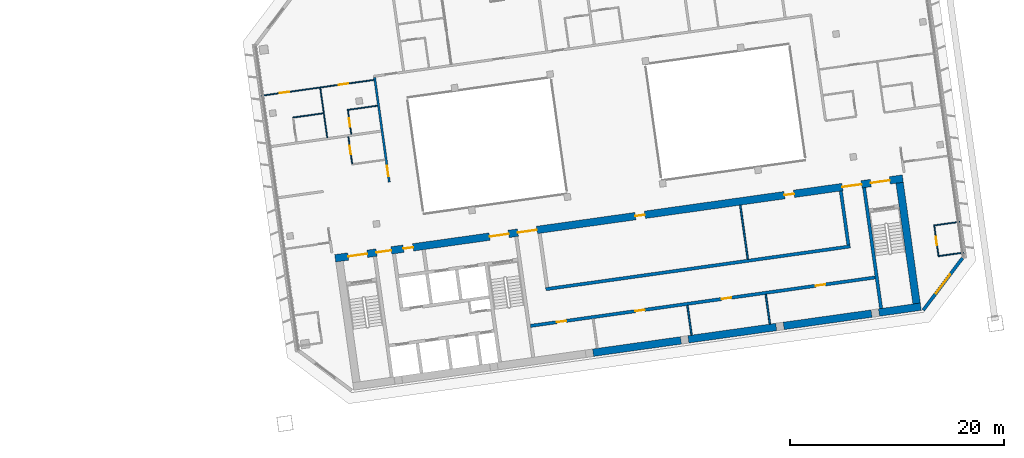
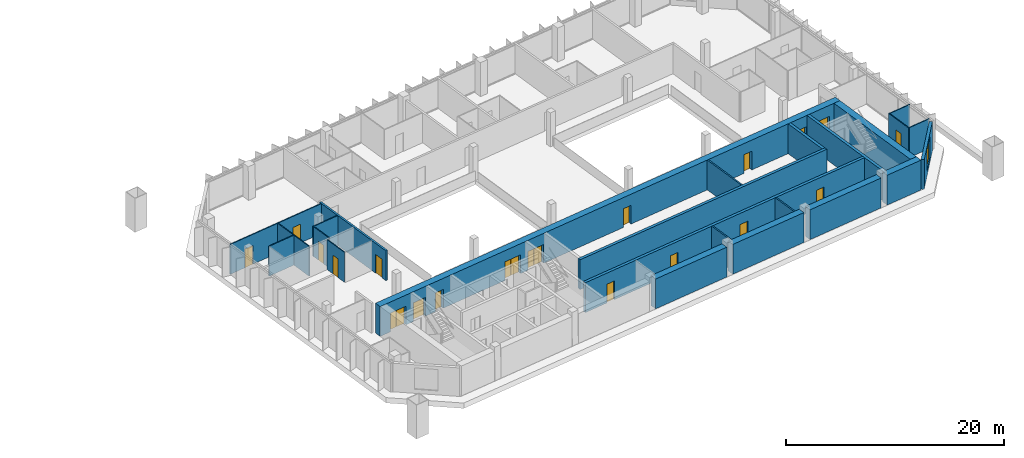
# One storey, part 22 of 31: 24 walls, 19 doors, 1 window, 20 openings.
"""IFC4 building model written with IfcOpenShell, lengths in metres."""

from ifc_helpers import new_model, si_unit, direction, frame, frame_2d, origin, place, context, subcontext, project, spatial, rectangle, extrude, material, layer, layer_set, type_object, element, fill, save


model = new_model("IFC4")

# Units and contexts
model_context = context("Model", 3, precision=1e-05, world=origin(), true_north=direction((0.0, 1.0)))
body_context = subcontext(model_context, "Body", "Model", "MODEL_VIEW")
ifc_project = project(units=[si_unit("LENGTHUNIT", "METRE"), si_unit("AREAUNIT", "SQUARE_METRE"), si_unit("VOLUMEUNIT", "CUBIC_METRE"), si_unit("PLANEANGLEUNIT", "RADIAN"), si_unit("MASSUNIT", "GRAM", prefix="KILO")], contexts=[model_context])

# Site, building, storey
site_placement = place(None, origin())
site = spatial("IfcSite", under=ifc_project, at=site_placement, CompositionType="ELEMENT")
building_placement = place(site_placement, origin())
building = spatial("IfcBuilding", under=site, at=building_placement, Name="Mirante Cascada Hotel Towers", CompositionType="ELEMENT")
storey_placement = place(building_placement, frame((0.0, 0.0, 157.4)))
storey = spatial("IfcBuildingStorey", under=building, at=storey_placement, Name="L36", CompositionType="ELEMENT", Elevation=157.4)

# Wall, opening, door
ifc_material_1 = material(Name="Fire-rated plasterboard on metal studs")
ifc_layer_1 = layer(ifc_material_1, 0.2)
ifc_layer_set_1 = layer_set([ifc_layer_1], Name="Compartment wall 200 EI 120")
wall_type_1 = type_object("IfcWallType", Name="Compartment wall 200 EI 120", PredefinedType="PARTITIONING", material=ifc_layer_set_1)
wall_1_placement = place(storey_placement, frame((40.5959, -0.5108, 0.0), z_axis=(0.0, 0.0, 1.0), x_axis=(-0.1391725, 0.9902682, 0.0)))
wall_1 = element("IfcWall", 1, at=wall_1_placement, inside=storey, type_object=wall_type_1, Name="Wall 2-L36-33", PredefinedType="PARTITIONING", context=body_context, shape_type="SweptSolid", body=[
    extrude(rectangle(XDim=9.8999, YDim=0.2, at=frame_2d((4.95, 0.0))), origin(), (0.0, 0.0, 1.0), 3.35),
])
opening_1_placement = place(wall_1_placement, frame((0.5667, 0.0, 0.0)))
opening_1 = element("IfcOpeningElement", 2, at=opening_1_placement, cuts=wall_1, Name="Opening D2-L36-23", PredefinedType="OPENING", context=body_context, shape_type="SweptSolid", body=[
    extrude(rectangle(XDim=1.0, YDim=2.1, at=frame_2d((0.5, 1.05))), frame((0.0, 0.1, 0.0), z_axis=(0.0, -1.0, 0.0), x_axis=(1.0, 0.0, 0.0)), (0.0, 0.0, 1.0), 0.2),
])
ifc_material_2 = material(Name="Fire-rated timber door leaf", Category="wood")
door_type_1 = type_object("IfcDoorType", Name="Entrance door DG1 1000x2100 EI 60", OperationType="SINGLE_SWING_LEFT", PredefinedType="DOOR", material=ifc_material_2)
door_1_placement = place(opening_1_placement, origin())
door_1 = element("IfcDoor", 3, at=door_1_placement, inside=storey, type_object=door_type_1, Name="Door D2-L36-23", OperationType="SINGLE_SWING_LEFT", OverallHeight=2.1, OverallWidth=1.0, PredefinedType="DOOR", context=body_context, shape_type="SweptSolid", body=[
    extrude(rectangle(XDim=1.0, YDim=2.1, at=frame_2d((0.5, 1.05))), frame((0.0, 0.025, 0.0), z_axis=(0.0, -1.0, 0.0), x_axis=(1.0, 0.0, 0.0)), (0.0, 0.0, 1.0), 0.05),
])
fill(opening_1, door_1)

# Walls
ifc_material_3 = material(Name="Masonry block", Category="masonry")
ifc_layer_2 = layer(ifc_material_3, 0.15)
ifc_layer_set_2 = layer_set([ifc_layer_2], Name="Core room partition 150 block EI 30")
wall_type_2 = type_object("IfcWallType", Name="Core room partition 150 block EI 30", PredefinedType="PARTITIONING", material=ifc_layer_set_2)
wall_2_placement = place(storey_placement, frame((68.8619, -14.8162, 0.0), z_axis=(0.0, 0.0, 1.0), x_axis=(-0.139176, 0.9902677, 0.0)))
element("IfcWall", 4, at=wall_2_placement, inside=storey, type_object=wall_type_2, Name="Core wall partition T2 L36 6", PredefinedType="PARTITIONING", context=body_context, shape_type="SweptSolid", body=[
    extrude(rectangle(XDim=2.8001, YDim=0.15, at=frame_2d((1.4, 0.0))), origin(), (0.0, 0.0, 1.0), 3.35),
])
wall_3_placement = place(storey_placement, frame((76.1899, -13.7863, 0.0), z_axis=(0.0, 0.0, 1.0), x_axis=(-0.139181, 0.990267, 0.0)))
element("IfcWall", 5, at=wall_3_placement, inside=storey, type_object=wall_type_2, Name="Core wall partition T2 L36 7", PredefinedType="PARTITIONING", context=body_context, shape_type="SweptSolid", body=[
    extrude(rectangle(XDim=2.8, YDim=0.15, at=frame_2d((1.4, 0.0))), origin(), (0.0, 0.0, 1.0), 3.35),
])
wall_4_placement = place(storey_placement, frame((74.1247, -7.7146, 0.0), z_axis=(0.0, 0.0, 1.0), x_axis=(-0.139159, 0.9902701, 0.0)))
element("IfcWall", 6, at=wall_4_placement, inside=storey, type_object=wall_type_2, Name="Core wall partition T2 L36 8", PredefinedType="PARTITIONING", context=body_context, shape_type="SweptSolid", body=[
    extrude(rectangle(XDim=5.0999, YDim=0.15, at=frame_2d((2.55, 0.0))), origin(), (0.0, 0.0, 1.0), 3.35),
])

# Wall, openings, doors
ifc_material_4 = material(Name="Masonry block", Category="masonry")
ifc_layer_3 = layer(ifc_material_4, 0.3)
ifc_layer_set_3 = layer_set([ifc_layer_3], Name="Core wall 300 block EI 120")
wall_type_3 = type_object("IfcWallType", Name="Core wall 300 block EI 120", PredefinedType="PARTITIONING", material=ifc_layer_set_3)
wall_5_placement = place(storey_placement, frame((53.7953, -13.9547, 0.0), z_axis=(0.0, 0.0, 1.0), x_axis=(0.990268, 0.1391733, 0.0)))
wall_5 = element("IfcWall", 7, at=wall_5_placement, inside=storey, type_object=wall_type_3, Name="Core wall partition T2 L36 4", PredefinedType="PARTITIONING", context=body_context, shape_type="SweptSolid", body=[
    extrude(rectangle(XDim=32.5501, YDim=0.3, at=frame_2d((16.275, 0.0))), origin(), (0.0, 0.0, 1.0), 3.35),
])
opening_2_placement = place(wall_5_placement, frame((2.5, 0.0, 0.0)))
opening_2 = element("IfcOpeningElement", 8, at=opening_2_placement, cuts=wall_5, Name="Opening D2-36-C19", PredefinedType="OPENING", context=body_context, shape_type="SweptSolid", body=[
    extrude(rectangle(XDim=0.9, YDim=2.1, at=frame_2d((0.45, 1.05))), frame((0.0, 0.15, 0.0), z_axis=(0.0, -1.0, 0.0), x_axis=(1.0, 0.0, 0.0)), (0.0, 0.0, 1.0), 0.3),
])
opening_3_placement = place(wall_5_placement, frame((9.9, 0.0, 0.0)))
opening_3 = element("IfcOpeningElement", 9, at=opening_3_placement, cuts=wall_5, Name="Opening D2-36-C20", PredefinedType="OPENING", context=body_context, shape_type="SweptSolid", body=[
    extrude(rectangle(XDim=0.9, YDim=2.1, at=frame_2d((0.45, 1.05))), frame((0.0, 0.15, 0.0), z_axis=(0.0, -1.0, 0.0), x_axis=(1.0, 0.0, 0.0)), (0.0, 0.0, 1.0), 0.3),
])
opening_4_placement = place(wall_5_placement, frame((18.05, 0.0, 0.0)))
opening_4 = element("IfcOpeningElement", 10, at=opening_4_placement, cuts=wall_5, Name="Opening D2-36-C21", PredefinedType="OPENING", context=body_context, shape_type="SweptSolid", body=[
    extrude(rectangle(XDim=0.9, YDim=2.1, at=frame_2d((0.45, 1.05))), frame((0.0, 0.15, 0.0), z_axis=(0.0, -1.0, 0.0), x_axis=(1.0, 0.0, 0.0)), (0.0, 0.0, 1.0), 0.3),
])
opening_5_placement = place(wall_5_placement, frame((26.925, 0.0, 0.0)))
opening_5 = element("IfcOpeningElement", 11, at=opening_5_placement, cuts=wall_5, Name="Opening D2-36-C22", PredefinedType="OPENING", context=body_context, shape_type="SweptSolid", body=[
    extrude(rectangle(XDim=0.9, YDim=2.1, at=frame_2d((0.45, 1.05))), frame((0.0, 0.15, 0.0), z_axis=(0.0, -1.0, 0.0), x_axis=(1.0, 0.0, 0.0)), (0.0, 0.0, 1.0), 0.3),
])
ifc_material_5 = material(Name="Hollow metal fire door leaf")
door_type_2 = type_object("IfcDoorType", Name="Fire door 900x2100 FD60", OperationType="NOTDEFINED", PredefinedType="DOOR", material=ifc_material_5)
door_2_placement = place(opening_2_placement, frame((0.9, 0.0, 0.0), z_axis=(0.0, 0.0, 1.0), x_axis=(-1.0, 0.0, 0.0)))
door_2 = element("IfcDoor", 12, at=door_2_placement, inside=storey, type_object=door_type_2, Name="Room door T2 L36 19", OperationType="SINGLE_SWING_LEFT", OverallHeight=2.1, OverallWidth=0.9, PredefinedType="DOOR", context=body_context, shape_type="SweptSolid", body=[
    extrude(rectangle(XDim=0.9, YDim=2.1, at=frame_2d((0.45, 1.05))), frame((0.0, 0.025, 0.0), z_axis=(0.0, -1.0, 0.0), x_axis=(1.0, 0.0, 0.0)), (0.0, 0.0, 1.0), 0.05),
])
fill(opening_2, door_2)
door_3_placement = place(opening_3_placement, frame((0.9, 0.0, 0.0), z_axis=(0.0, 0.0, 1.0), x_axis=(-1.0, 0.0, 0.0)))
door_3 = element("IfcDoor", 13, at=door_3_placement, inside=storey, type_object=door_type_2, Name="Room door T2 L36 20", OperationType="SINGLE_SWING_LEFT", OverallHeight=2.1, OverallWidth=0.9, PredefinedType="DOOR", context=body_context, shape_type="SweptSolid", body=[
    extrude(rectangle(XDim=0.9, YDim=2.1, at=frame_2d((0.45, 1.05))), frame((0.0, 0.025, 0.0), z_axis=(0.0, -1.0, 0.0), x_axis=(1.0, 0.0, 0.0)), (0.0, 0.0, 1.0), 0.05),
])
fill(opening_3, door_3)
door_4_placement = place(opening_4_placement, frame((0.9, 0.0, 0.0), z_axis=(0.0, 0.0, 1.0), x_axis=(-1.0, 0.0, 0.0)))
door_4 = element("IfcDoor", 14, at=door_4_placement, inside=storey, type_object=door_type_2, Name="Room door T2 L36 21", OperationType="SINGLE_SWING_RIGHT", OverallHeight=2.1, OverallWidth=0.9, PredefinedType="DOOR", context=body_context, shape_type="SweptSolid", body=[
    extrude(rectangle(XDim=0.9, YDim=2.1, at=frame_2d((0.45, 1.05))), frame((0.0, 0.025, 0.0), z_axis=(0.0, -1.0, 0.0), x_axis=(1.0, 0.0, 0.0)), (0.0, 0.0, 1.0), 0.05),
])
fill(opening_4, door_4)
door_5_placement = place(opening_5_placement, frame((0.9, 0.0, 0.0), z_axis=(0.0, 0.0, 1.0), x_axis=(-1.0, 0.0, 0.0)))
door_5 = element("IfcDoor", 15, at=door_5_placement, inside=storey, type_object=door_type_2, Name="Room door T2 L36 22", OperationType="SINGLE_SWING_RIGHT", OverallHeight=2.1, OverallWidth=0.9, PredefinedType="DOOR", context=body_context, shape_type="SweptSolid", body=[
    extrude(rectangle(XDim=0.9, YDim=2.1, at=frame_2d((0.45, 1.05))), frame((0.0, 0.025, 0.0), z_axis=(0.0, -1.0, 0.0), x_axis=(1.0, 0.0, 0.0)), (0.0, 0.0, 1.0), 0.05),
])
fill(opening_5, door_5)

# Walls
ifc_material_6 = material(Name="Plasterboard on metal studs")
ifc_layer_4 = layer(ifc_material_6, 0.1)
ifc_layer_set_4 = layer_set([ifc_layer_4], Name="Partition 100")
wall_type_4 = type_object("IfcWallType", Name="Partition 100", PredefinedType="PARTITIONING", material=ifc_layer_set_4)
for number, where, z_axis, x_axis, name in (
    (16, (94.3353, -7.0958, 0.0), (0.0, 0.0, 1.0), (-0.9902653, -0.1391929, 0.0), "Wall 2-L36-02"),
    (17, (93.9317, -4.2241, 0.0), (0.0, 0.0, 1.0), (-0.9902712, -0.1391512, 0.0), "Wall 2-L36-04"),
):
    element("IfcWall", number, at=place(storey_placement, frame(where, z_axis=z_axis, x_axis=x_axis)), inside=storey, type_object=wall_type_4, Name=name, PredefinedType="PARTITIONING", context=body_context, shape_type="SweptSolid", body=[
        extrude(rectangle(XDim=2.35, YDim=0.1, at=frame_2d((1.175, 0.0))), origin(), (0.0, 0.0, 1.0), 3.35),
    ])
wall_6_placement = place(storey_placement, frame((34.4221, 5.9259, 0.0), z_axis=(0.0, 0.0, 1.0), x_axis=(-0.9902683, -0.1391714, 0.0)))
element("IfcWall", 18, at=wall_6_placement, inside=storey, type_object=wall_type_4, Name="Wall 2-L36-16", PredefinedType="PARTITIONING", context=body_context, shape_type="SweptSolid", body=[
    extrude(rectangle(XDim=2.9, YDim=0.1, at=frame_2d((1.45, 0.0))), origin(), (0.0, 0.0, 1.0), 3.35),
])
wall_7_placement = place(storey_placement, frame((36.6679, 6.2415, 0.0), z_axis=(0.0, 0.0, 1.0), x_axis=(0.9902704, 0.1391564, 0.0)))
element("IfcWall", 19, at=wall_7_placement, inside=storey, type_object=wall_type_4, Name="Wall 2-L36-17", PredefinedType="PARTITIONING", context=body_context, shape_type="SweptSolid", body=[
    extrude(rectangle(XDim=2.85, YDim=0.1, at=frame_2d((1.425, 0.0))), origin(), (0.0, 0.0, 1.0), 3.35),
])

# Wall, openings, doors
wall_8_placement = place(storey_placement, frame((39.1515, 9.0479, 0.0), z_axis=(0.0, 0.0, 1.0), x_axis=(-0.9902681, -0.1391727, 0.0)))
wall_8 = element("IfcWall", 20, at=wall_8_placement, inside=storey, type_object=wall_type_4, Name="Wall 2-L36-18", PredefinedType="PARTITIONING", context=body_context, shape_type="SweptSolid", body=[
    extrude(rectangle(XDim=10.6357, YDim=0.1, at=frame_2d((5.3178, 0.0))), origin(), (0.0, 0.0, 1.0), 3.35),
])
opening_6_placement = place(wall_8_placement, frame((8.0018, 0.0, 0.0)))
opening_6 = element("IfcOpeningElement", 21, at=opening_6_placement, cuts=wall_8, Name="Opening D2-L36-05", PredefinedType="OPENING", context=body_context, shape_type="SweptSolid", body=[
    extrude(rectangle(XDim=0.9, YDim=2.1, at=frame_2d((0.45, 1.05))), frame((0.0, 0.05, 0.0), z_axis=(0.0, -1.0, 0.0), x_axis=(1.0, 0.0, 0.0)), (0.0, 0.0, 1.0), 0.1),
])
opening_7_placement = place(wall_8_placement, frame((2.4339, 0.0, 0.0)))
opening_7 = element("IfcOpeningElement", 22, at=opening_7_placement, cuts=wall_8, Name="Opening D2-L36-06", PredefinedType="OPENING", context=body_context, shape_type="SweptSolid", body=[
    extrude(rectangle(XDim=0.9, YDim=2.1, at=frame_2d((0.45, 1.05))), frame((0.0, 0.05, 0.0), z_axis=(0.0, -1.0, 0.0), x_axis=(1.0, 0.0, 0.0)), (0.0, 0.0, 1.0), 0.1),
])
ifc_material_7 = material(Name="Timber door leaf", Category="wood")
door_type_3 = type_object("IfcDoorType", Name="Room door DG3 900x2100", OperationType="SINGLE_SWING_LEFT", PredefinedType="DOOR", material=ifc_material_7)
door_6_placement = place(opening_6_placement, frame((0.9, 0.0, 0.0), z_axis=(0.0, 0.0, 1.0), x_axis=(-1.0, 0.0, 0.0)))
door_6 = element("IfcDoor", 23, at=door_6_placement, inside=storey, type_object=door_type_3, Name="Door D2-L36-05", OperationType="SINGLE_SWING_RIGHT", OverallHeight=2.1, OverallWidth=0.9, PredefinedType="DOOR", context=body_context, shape_type="SweptSolid", body=[
    extrude(rectangle(XDim=0.9, YDim=2.1, at=frame_2d((0.45, 1.05))), frame((0.0, 0.025, 0.0), z_axis=(0.0, -1.0, 0.0), x_axis=(1.0, 0.0, 0.0)), (0.0, 0.0, 1.0), 0.05),
])
fill(opening_6, door_6)
door_7_placement = place(opening_7_placement, frame((0.9, 0.0, 0.0), z_axis=(0.0, 0.0, 1.0), x_axis=(-1.0, 0.0, 0.0)))
door_7 = element("IfcDoor", 24, at=door_7_placement, inside=storey, type_object=door_type_3, Name="Door D2-L36-06", OperationType="SINGLE_SWING_RIGHT", OverallHeight=2.1, OverallWidth=0.9, PredefinedType="DOOR", context=body_context, shape_type="SweptSolid", body=[
    extrude(rectangle(XDim=0.9, YDim=2.1, at=frame_2d((0.45, 1.05))), frame((0.0, 0.025, 0.0), z_axis=(0.0, -1.0, 0.0), x_axis=(1.0, 0.0, 0.0)), (0.0, 0.0, 1.0), 0.05),
])
fill(opening_7, door_7)

# Wall
wall_9_placement = place(storey_placement, frame((34.1399, 8.293, 0.0), z_axis=(0.0, 0.0, 1.0), x_axis=(0.139173, -0.9902681, 0.0)))
element("IfcWall", 25, at=wall_9_placement, inside=storey, type_object=wall_type_4, Name="Wall 2-L36-30", PredefinedType="PARTITIONING", context=body_context, shape_type="SweptSolid", body=[
    extrude(rectangle(XDim=4.6834, YDim=0.1, at=frame_2d((2.3417, 0.0))), origin(), (0.0, 0.0, 1.0), 3.35),
])

# Wall, opening, door
wall_10_placement = place(storey_placement, frame((37.1232, 1.2059, 0.0), z_axis=(0.0, 0.0, 1.0), x_axis=(-0.1391809, 0.990267, 0.0)))
wall_10 = element("IfcWall", 26, at=wall_10_placement, inside=storey, type_object=wall_type_4, Name="Wall 2-L36-31", PredefinedType="PARTITIONING", context=body_context, shape_type="SweptSolid", body=[
    extrude(rectangle(XDim=2.5499, YDim=0.1, at=frame_2d((1.275, 0.0))), origin(), (0.0, 0.0, 1.0), 3.35),
])
opening_8_placement = place(wall_10_placement, frame((0.9, 0.0, 0.0)))
opening_8 = element("IfcOpeningElement", 27, at=opening_8_placement, cuts=wall_10, Name="Opening D2-L36-21", PredefinedType="OPENING", context=body_context, shape_type="SweptSolid", body=[
    extrude(rectangle(XDim=0.8, YDim=2.1, at=frame_2d((0.4, 1.05))), frame((0.0, 0.05, 0.0), z_axis=(0.0, -1.0, 0.0), x_axis=(1.0, 0.0, 0.0)), (0.0, 0.0, 1.0), 0.1),
])
ifc_material_8 = material(Name="Timber door leaf", Category="wood")
door_type_4 = type_object("IfcDoorType", Name="Bathroom door DG4 800x2100", OperationType="SINGLE_SWING_LEFT", PredefinedType="DOOR", material=ifc_material_8)
door_8_placement = place(opening_8_placement, origin())
door_8 = element("IfcDoor", 28, at=door_8_placement, inside=storey, type_object=door_type_4, Name="Door D2-L36-21", OperationType="SINGLE_SWING_LEFT", OverallHeight=2.1, OverallWidth=0.8, PredefinedType="DOOR", context=body_context, shape_type="SweptSolid", body=[
    extrude(rectangle(XDim=0.8, YDim=2.1, at=frame_2d((0.4, 1.05))), frame((0.0, 0.025, 0.0), z_axis=(0.0, -1.0, 0.0), x_axis=(1.0, 0.0, 0.0)), (0.0, 0.0, 1.0), 0.05),
])
fill(opening_8, door_8)

wall_11_placement = place(storey_placement, frame((36.7244, 6.1989, 0.0), z_axis=(0.0, 0.0, 1.0), x_axis=(0.1391561, -0.9902705, 0.0)))
wall_11 = element("IfcWall", 29, at=wall_11_placement, inside=storey, type_object=wall_type_4, Name="Wall 2-L36-32", PredefinedType="PARTITIONING", context=body_context, shape_type="SweptSolid", body=[
    extrude(rectangle(XDim=2.25, YDim=0.1, at=frame_2d((1.125, 0.0))), origin(), (0.0, 0.0, 1.0), 3.35),
])
opening_9_placement = place(wall_11_placement, frame((0.75, 0.0, 0.0)))
opening_9 = element("IfcOpeningElement", 30, at=opening_9_placement, cuts=wall_11, Name="Opening D2-L36-22", PredefinedType="OPENING", context=body_context, shape_type="SweptSolid", body=[
    extrude(rectangle(XDim=0.8, YDim=2.1, at=frame_2d((0.4, 1.05))), frame((0.0, 0.05, 0.0), z_axis=(0.0, -1.0, 0.0), x_axis=(1.0, 0.0, 0.0)), (0.0, 0.0, 1.0), 0.1),
])
door_9_placement = place(opening_9_placement, origin())
door_9 = element("IfcDoor", 31, at=door_9_placement, inside=storey, type_object=door_type_4, Name="Door D2-L36-22", OperationType="SINGLE_SWING_LEFT", OverallHeight=2.1, OverallWidth=0.8, PredefinedType="DOOR", context=body_context, shape_type="SweptSolid", body=[
    extrude(rectangle(XDim=0.8, YDim=2.1, at=frame_2d((0.4, 1.05))), frame((0.0, 0.025, 0.0), z_axis=(0.0, -1.0, 0.0), x_axis=(1.0, 0.0, 0.0)), (0.0, 0.0, 1.0), 0.05),
])
fill(opening_9, door_9)

wall_12_placement = place(storey_placement, frame((91.9656, -7.4794, 0.0), z_axis=(0.0, 0.0, 1.0), x_axis=(-0.139167, 0.9902689, 0.0)))
wall_12 = element("IfcWall", 32, at=wall_12_placement, inside=storey, type_object=wall_type_4, Name="Wall 2-L36-51", PredefinedType="PARTITIONING", context=body_context, shape_type="SweptSolid", body=[
    extrude(rectangle(XDim=3.0, YDim=0.1, at=frame_2d((1.5, 0.0))), origin(), (0.0, 0.0, 1.0), 3.35),
])
opening_10_placement = place(wall_12_placement, frame((1.1, 0.0, 0.0)))
opening_10 = element("IfcOpeningElement", 33, at=opening_10_placement, cuts=wall_12, Name="Opening D2-L36-30", PredefinedType="OPENING", context=body_context, shape_type="SweptSolid", body=[
    extrude(rectangle(XDim=0.8, YDim=2.1, at=frame_2d((0.4, 1.05))), frame((0.0, 0.05, 0.0), z_axis=(0.0, -1.0, 0.0), x_axis=(1.0, 0.0, 0.0)), (0.0, 0.0, 1.0), 0.1),
])
door_10_placement = place(opening_10_placement, origin())
door_10 = element("IfcDoor", 34, at=door_10_placement, inside=storey, type_object=door_type_4, Name="Door D2-L36-30", OperationType="SINGLE_SWING_LEFT", OverallHeight=2.1, OverallWidth=0.8, PredefinedType="DOOR", context=body_context, shape_type="SweptSolid", body=[
    extrude(rectangle(XDim=0.8, YDim=2.1, at=frame_2d((0.4, 1.05))), frame((0.0, 0.025, 0.0), z_axis=(0.0, -1.0, 0.0), x_axis=(1.0, 0.0, 0.0)), (0.0, 0.0, 1.0), 0.05),
])
fill(opening_10, door_10)

# Wall, opening, window
ifc_material_9 = material(Name="Precast concrete C40/50", Category="concrete")
ifc_layer_5 = layer(ifc_material_9, 0.3)
ifc_layer_set_5 = layer_set([ifc_layer_5], Name="Precast concrete C40/50 cladding wall 300")
wall_type_5 = type_object("IfcWallType", Name="Precast concrete C40/50 cladding wall 300", PredefinedType="STANDARD", material=ifc_layer_set_5)
wall_13_placement = place(storey_placement, frame((90.5299, -12.4841, 0.0), z_axis=(0.0, 0.0, 1.0), x_axis=(0.6018063, 0.7986421, 0.0)))
wall_13 = element("IfcWall", 35, at=wall_13_placement, inside=storey, type_object=wall_type_5, Name="Corner cladding wall T2 L36 rear outer", PredefinedType="STANDARD", context=body_context, shape_type="SweptSolid", body=[
    extrude(rectangle(XDim=6.1158, YDim=0.3, at=frame_2d((3.0579, 0.0))), origin(), (0.0, 0.0, 1.0), 3.35),
])
opening_11_placement = place(wall_13_placement, frame((1.9578, 0.0, 0.6)))
opening_11 = element("IfcOpeningElement", 36, at=opening_11_placement, cuts=wall_13, Name="Opening W2-36-01", PredefinedType="OPENING", context=body_context, shape_type="SweptSolid", body=[
    extrude(rectangle(XDim=2.2, YDim=2.4, at=frame_2d((1.1, 1.2))), frame((0.0, 0.15, 0.0), z_axis=(0.0, -1.0, 0.0), x_axis=(1.0, 0.0, 0.0)), (0.0, 0.0, 1.0), 0.3),
])
ifc_material_10 = material(Name="Aluminium frame with clear double glazing", Category="aluminium")
window_type = type_object("IfcWindowType", Name="Corner suite window 2200x2400", PartitioningType="DOUBLE_PANEL_VERTICAL", PredefinedType="WINDOW", material=ifc_material_10)
window_placement = place(opening_11_placement, origin())
window = element("IfcWindow", 37, at=window_placement, inside=storey, type_object=window_type, Name="Window W2-36-01", OverallHeight=2.4, OverallWidth=2.2, PartitioningType="SINGLE_PANEL", PredefinedType="WINDOW", context=body_context, shape_type="SweptSolid", body=[
    extrude(rectangle(XDim=2.2, YDim=2.4, at=frame_2d((1.1, 1.2))), frame((0.0, 0.03, 0.0), z_axis=(0.0, -1.0, 0.0), x_axis=(1.0, 0.0, 0.0)), (0.0, 0.0, 1.0), 0.06),
])
fill(opening_11, window)

# Walls
ifc_material_11 = material(Name="Concrete C50/60", Category="concrete")
ifc_layer_6 = layer(ifc_material_11, 0.3)
ifc_layer_set_6 = layer_set([ifc_layer_6], Name="RC core wall 300 C50/60")
wall_type_6 = type_object("IfcWallType", Name="RC core wall 300 C50/60", PredefinedType="SHEAR", material=ifc_layer_set_6)
wall_14_placement = place(storey_placement, frame((86.5877, -12.325, 0.0), z_axis=(0.0, 0.0, 1.0), x_axis=(-0.1391749, 0.9902678, 0.0)))
element("IfcWall", 38, at=wall_14_placement, inside=storey, type_object=wall_type_6, Name="Core wall T2:L36:8", PredefinedType="SHEAR", context=body_context, shape_type="SweptSolid", body=[
    extrude(rectangle(XDim=11.4, YDim=0.3, at=frame_2d((5.7, 0.0))), origin(), (0.0, 0.0, 1.0), 3.35),
])
wall_15_placement = place(storey_placement, frame((55.2315, -10.5214, 0.0), z_axis=(0.0, 0.0, 1.0), x_axis=(0.9902682, 0.1391722, 0.0)))
element("IfcWall", 39, at=wall_15_placement, inside=storey, type_object=wall_type_6, Name="Core wall T2:L36:28", PredefinedType="SHEAR", context=body_context, shape_type="SweptSolid", body=[
    extrude(rectangle(XDim=28.75, YDim=0.3, at=frame_2d((14.375, 0.0))), origin(), (0.0, 0.0, 1.0), 3.35),
])
wall_16_placement = place(storey_placement, frame((83.5323, -6.3925, 0.0), z_axis=(0.0, 0.0, 1.0), x_axis=(-0.1391755, 0.9902677, 0.0)))
element("IfcWall", 40, at=wall_16_placement, inside=storey, type_object=wall_type_6, Name="Core wall T2:L36:30", PredefinedType="SHEAR", context=body_context, shape_type="SweptSolid", body=[
    extrude(rectangle(XDim=5.1, YDim=0.3, at=frame_2d((2.55, 0.0))), origin(), (0.0, 0.0, 1.0), 3.35),
])
ifc_material_12 = material(Name="Concrete C50/60", Category="concrete")
ifc_layer_7 = layer(ifc_material_12, 0.7)
ifc_layer_set_7 = layer_set([ifc_layer_7], Name="RC core wall 700 C50/60")
wall_type_7 = type_object("IfcWallType", Name="RC core wall 700 C50/60", PredefinedType="SHEAR", material=ifc_layer_set_7)
for number, where, z_axis, x_axis, name in (
    (41, (59.6516, -16.4641, 0.0), (0.0, 0.0, 1.0), (0.990267, 0.139181, 0.0), "Core wall T2:L36:1.4"),
    (42, (68.564, -15.2115, 0.0), (0.0, 0.0, 1.0), (0.9902686, 0.1391692, 0.0), "Core wall T2:L36:1.5"),
    (43, (77.4764, -13.9589, 0.0), (0.0, 0.0, 1.0), (0.9902686, 0.1391692, 0.0), "Core wall T2:L36:1.6"),
):
    element("IfcWall", number, at=place(storey_placement, frame(where, z_axis=z_axis, x_axis=x_axis)), inside=storey, type_object=wall_type_7, Name=name, PredefinedType="SHEAR", context=body_context, shape_type="SweptSolid", body=[
        extrude(rectangle(XDim=8.3, YDim=0.7, at=frame_2d((4.15, 0.0))), origin(), (0.0, 0.0, 1.0), 3.35),
    ])
wall_17_placement = place(storey_placement, frame((86.3888, -12.7064, 0.0), z_axis=(0.0, 0.0, 1.0), x_axis=(0.9902694, 0.1391633, 0.0)))
element("IfcWall", 44, at=wall_17_placement, inside=storey, type_object=wall_type_7, Name="Core wall T2:L36:1.7", PredefinedType="SHEAR", context=body_context, shape_type="SweptSolid", body=[
    extrude(rectangle(XDim=3.95, YDim=0.7, at=frame_2d((1.975, 0.0))), origin(), (0.0, 0.0, 1.0), 3.35),
])

# Wall, openings, doors
wall_18_placement = place(storey_placement, frame((35.538, -7.6341, 0.0), z_axis=(0.0, 0.0, 1.0), x_axis=(0.990268, 0.1391734, 0.0)))
wall_18 = element("IfcWall", 45, at=wall_18_placement, inside=storey, type_object=wall_type_7, Name="Core wall T2:L36:2", PredefinedType="SHEAR", context=body_context, shape_type="SweptSolid", body=[
    extrude(rectangle(XDim=53.6, YDim=0.7, at=frame_2d((26.8, 0.0))), origin(), (0.0, 0.0, 1.0), 3.35),
])
opening_12_placement = place(wall_18_placement, frame((1.225, 0.0, 0.0)))
opening_12 = element("IfcOpeningElement", 46, at=opening_12_placement, cuts=wall_18, Name="Opening D2-36-C08", PredefinedType="OPENING", context=body_context, shape_type="SweptSolid", body=[
    extrude(rectangle(XDim=1.8, YDim=2.1, at=frame_2d((0.9, 1.05))), frame((0.0, 0.35, 0.0), z_axis=(0.0, -1.0, 0.0), x_axis=(1.0, 0.0, 0.0)), (0.0, 0.0, 1.0), 0.7),
])
opening_13_placement = place(wall_18_placement, frame((14.575, 0.0, 0.0)))
opening_13 = element("IfcOpeningElement", 47, at=opening_13_placement, cuts=wall_18, Name="Opening D2-36-C10", PredefinedType="OPENING", context=body_context, shape_type="SweptSolid", body=[
    extrude(rectangle(XDim=1.8, YDim=2.1, at=frame_2d((0.9, 1.05))), frame((0.0, 0.35, 0.0), z_axis=(0.0, -1.0, 0.0), x_axis=(1.0, 0.0, 0.0)), (0.0, 0.0, 1.0), 0.7),
])
opening_14_placement = place(wall_18_placement, frame((50.575, 0.0, 0.0)))
opening_14 = element("IfcOpeningElement", 48, at=opening_14_placement, cuts=wall_18, Name="Opening D2-36-C12", PredefinedType="OPENING", context=body_context, shape_type="SweptSolid", body=[
    extrude(rectangle(XDim=1.8, YDim=2.1, at=frame_2d((0.9, 1.05))), frame((0.0, 0.35, 0.0), z_axis=(0.0, -1.0, 0.0), x_axis=(1.0, 0.0, 0.0)), (0.0, 0.0, 1.0), 0.7),
])
opening_15_placement = place(wall_18_placement, frame((3.9, 0.0, 0.0)))
opening_15 = element("IfcOpeningElement", 49, at=opening_15_placement, cuts=wall_18, Name="Opening D2-36-C13", PredefinedType="OPENING", context=body_context, shape_type="SweptSolid", body=[
    extrude(rectangle(XDim=1.4, YDim=2.1, at=frame_2d((0.7, 1.05))), frame((0.0, 0.35, 0.0), z_axis=(0.0, -1.0, 0.0), x_axis=(1.0, 0.0, 0.0)), (0.0, 0.0, 1.0), 0.7),
])
opening_16_placement = place(wall_18_placement, frame((17.25, 0.0, 0.0)))
opening_16 = element("IfcOpeningElement", 50, at=opening_16_placement, cuts=wall_18, Name="Opening D2-36-C14", PredefinedType="OPENING", context=body_context, shape_type="SweptSolid", body=[
    extrude(rectangle(XDim=1.8, YDim=2.1, at=frame_2d((0.9, 1.05))), frame((0.0, 0.35, 0.0), z_axis=(0.0, -1.0, 0.0), x_axis=(1.0, 0.0, 0.0)), (0.0, 0.0, 1.0), 0.7),
])
opening_17_placement = place(wall_18_placement, frame((47.9, 0.0, 0.0)))
opening_17 = element("IfcOpeningElement", 51, at=opening_17_placement, cuts=wall_18, Name="Opening D2-36-C15", PredefinedType="OPENING", context=body_context, shape_type="SweptSolid", body=[
    extrude(rectangle(XDim=1.8, YDim=2.1, at=frame_2d((0.9, 1.05))), frame((0.0, 0.35, 0.0), z_axis=(0.0, -1.0, 0.0), x_axis=(1.0, 0.0, 0.0)), (0.0, 0.0, 1.0), 0.7),
])
opening_18_placement = place(wall_18_placement, frame((6.45, 0.0, 0.0)))
opening_18 = element("IfcOpeningElement", 52, at=opening_18_placement, cuts=wall_18, Name="Opening D2-36-C18", PredefinedType="OPENING", context=body_context, shape_type="SweptSolid", body=[
    extrude(rectangle(XDim=0.9, YDim=2.1, at=frame_2d((0.45, 1.05))), frame((0.0, 0.35, 0.0), z_axis=(0.0, -1.0, 0.0), x_axis=(1.0, 0.0, 0.0)), (0.0, 0.0, 1.0), 0.7),
])
opening_19_placement = place(wall_18_placement, frame((28.35, 0.0, 0.0)))
opening_19 = element("IfcOpeningElement", 53, at=opening_19_placement, cuts=wall_18, Name="Opening D2-36-C23", PredefinedType="OPENING", context=body_context, shape_type="SweptSolid", body=[
    extrude(rectangle(XDim=0.9, YDim=2.1, at=frame_2d((0.45, 1.05))), frame((0.0, 0.35, 0.0), z_axis=(0.0, -1.0, 0.0), x_axis=(1.0, 0.0, 0.0)), (0.0, 0.0, 1.0), 0.7),
])
opening_20_placement = place(wall_18_placement, frame((42.425, 0.0, 0.0)))
opening_20 = element("IfcOpeningElement", 54, at=opening_20_placement, cuts=wall_18, Name="Opening D2-36-C24", PredefinedType="OPENING", context=body_context, shape_type="SweptSolid", body=[
    extrude(rectangle(XDim=0.9, YDim=2.1, at=frame_2d((0.45, 1.05))), frame((0.0, 0.35, 0.0), z_axis=(0.0, -1.0, 0.0), x_axis=(1.0, 0.0, 0.0)), (0.0, 0.0, 1.0), 0.7),
])
ifc_material_13 = material(Name="Hollow metal fire door leaf")
door_type_5 = type_object("IfcDoorType", Name="Double fire door 1400x2100 FD60", OperationType="DOUBLE_DOOR_SINGLE_SWING", PredefinedType="DOOR", material=ifc_material_13)
door_11_placement = place(opening_15_placement, origin())
door_11 = element("IfcDoor", 55, at=door_11_placement, inside=storey, type_object=door_type_5, Name="Exit door to gallery T2 L36 13", OperationType="DOUBLE_DOOR_SINGLE_SWING", OverallHeight=2.1, OverallWidth=1.4, PredefinedType="DOOR", context=body_context, shape_type="SweptSolid", body=[
    extrude(rectangle(XDim=0.695, YDim=2.1, at=frame_2d((0.3475, 1.05))), frame((0.0, 0.025, 0.0), z_axis=(0.0, -1.0, 0.0), x_axis=(1.0, 0.0, 0.0)), (0.0, 0.0, 1.0), 0.05),
    extrude(rectangle(XDim=0.695, YDim=2.1, at=frame_2d((1.0525, 1.05))), frame((0.0, 0.025, 0.0), z_axis=(0.0, -1.0, 0.0), x_axis=(1.0, 0.0, 0.0)), (0.0, 0.0, 1.0), 0.05),
])
fill(opening_15, door_11)
ifc_material_14 = material(Name="Hollow metal fire door leaf")
door_type_6 = type_object("IfcDoorType", Name="Double fire door 1800x2100 FD60", OperationType="DOUBLE_DOOR_SINGLE_SWING", PredefinedType="DOOR", material=ifc_material_14)
door_12_placement = place(opening_12_placement, frame((1.8, 0.0, 0.0), z_axis=(0.0, 0.0, 1.0), x_axis=(-1.0, 0.0, 0.0)))
door_12 = element("IfcDoor", 56, at=door_12_placement, inside=storey, type_object=door_type_6, Name="Exit door to gallery T2 L36 8", OperationType="DOUBLE_DOOR_SINGLE_SWING", OverallHeight=2.1, OverallWidth=1.8, PredefinedType="DOOR", context=body_context, shape_type="SweptSolid", body=[
    extrude(rectangle(XDim=0.895, YDim=2.1, at=frame_2d((0.4475, 1.05))), frame((0.0, 0.025, 0.0), z_axis=(0.0, -1.0, 0.0), x_axis=(1.0, 0.0, 0.0)), (0.0, 0.0, 1.0), 0.05),
    extrude(rectangle(XDim=0.895, YDim=2.1, at=frame_2d((1.3525, 1.05))), frame((0.0, 0.025, 0.0), z_axis=(0.0, -1.0, 0.0), x_axis=(1.0, 0.0, 0.0)), (0.0, 0.0, 1.0), 0.05),
])
fill(opening_12, door_12)
door_13_placement = place(opening_13_placement, frame((1.8, 0.0, 0.0), z_axis=(0.0, 0.0, 1.0), x_axis=(-1.0, 0.0, 0.0)))
door_13 = element("IfcDoor", 57, at=door_13_placement, inside=storey, type_object=door_type_6, Name="Exit door to gallery T2 L36 10", OperationType="DOUBLE_DOOR_SINGLE_SWING", OverallHeight=2.1, OverallWidth=1.8, PredefinedType="DOOR", context=body_context, shape_type="SweptSolid", body=[
    extrude(rectangle(XDim=0.895, YDim=2.1, at=frame_2d((0.4475, 1.05))), frame((0.0, 0.025, 0.0), z_axis=(0.0, -1.0, 0.0), x_axis=(1.0, 0.0, 0.0)), (0.0, 0.0, 1.0), 0.05),
    extrude(rectangle(XDim=0.895, YDim=2.1, at=frame_2d((1.3525, 1.05))), frame((0.0, 0.025, 0.0), z_axis=(0.0, -1.0, 0.0), x_axis=(1.0, 0.0, 0.0)), (0.0, 0.0, 1.0), 0.05),
])
fill(opening_13, door_13)
door_14_placement = place(opening_14_placement, frame((1.8, 0.0, 0.0), z_axis=(0.0, 0.0, 1.0), x_axis=(-1.0, 0.0, 0.0)))
door_14 = element("IfcDoor", 58, at=door_14_placement, inside=storey, type_object=door_type_6, Name="Exit door to gallery T2 L36 12", OperationType="DOUBLE_DOOR_SINGLE_SWING", OverallHeight=2.1, OverallWidth=1.8, PredefinedType="DOOR", context=body_context, shape_type="SweptSolid", body=[
    extrude(rectangle(XDim=0.895, YDim=2.1, at=frame_2d((0.4475, 1.05))), frame((0.0, 0.025, 0.0), z_axis=(0.0, -1.0, 0.0), x_axis=(1.0, 0.0, 0.0)), (0.0, 0.0, 1.0), 0.05),
    extrude(rectangle(XDim=0.895, YDim=2.1, at=frame_2d((1.3525, 1.05))), frame((0.0, 0.025, 0.0), z_axis=(0.0, -1.0, 0.0), x_axis=(1.0, 0.0, 0.0)), (0.0, 0.0, 1.0), 0.05),
])
fill(opening_14, door_14)
door_15_placement = place(opening_16_placement, origin())
door_15 = element("IfcDoor", 59, at=door_15_placement, inside=storey, type_object=door_type_6, Name="Exit door to gallery T2 L36 14", OperationType="DOUBLE_DOOR_SINGLE_SWING", OverallHeight=2.1, OverallWidth=1.8, PredefinedType="DOOR", context=body_context, shape_type="SweptSolid", body=[
    extrude(rectangle(XDim=0.895, YDim=2.1, at=frame_2d((0.4475, 1.05))), frame((0.0, 0.025, 0.0), z_axis=(0.0, -1.0, 0.0), x_axis=(1.0, 0.0, 0.0)), (0.0, 0.0, 1.0), 0.05),
    extrude(rectangle(XDim=0.895, YDim=2.1, at=frame_2d((1.3525, 1.05))), frame((0.0, 0.025, 0.0), z_axis=(0.0, -1.0, 0.0), x_axis=(1.0, 0.0, 0.0)), (0.0, 0.0, 1.0), 0.05),
])
fill(opening_16, door_15)
door_16_placement = place(opening_17_placement, origin())
door_16 = element("IfcDoor", 60, at=door_16_placement, inside=storey, type_object=door_type_6, Name="Exit door to gallery T2 L36 15", OperationType="DOUBLE_DOOR_SINGLE_SWING", OverallHeight=2.1, OverallWidth=1.8, PredefinedType="DOOR", context=body_context, shape_type="SweptSolid", body=[
    extrude(rectangle(XDim=0.895, YDim=2.1, at=frame_2d((0.4475, 1.05))), frame((0.0, 0.025, 0.0), z_axis=(0.0, -1.0, 0.0), x_axis=(1.0, 0.0, 0.0)), (0.0, 0.0, 1.0), 0.05),
    extrude(rectangle(XDim=0.895, YDim=2.1, at=frame_2d((1.3525, 1.05))), frame((0.0, 0.025, 0.0), z_axis=(0.0, -1.0, 0.0), x_axis=(1.0, 0.0, 0.0)), (0.0, 0.0, 1.0), 0.05),
])
fill(opening_17, door_16)
door_17_placement = place(opening_18_placement, frame((0.9, 0.0, 0.0), z_axis=(0.0, 0.0, 1.0), x_axis=(-1.0, 0.0, 0.0)))
door_17 = element("IfcDoor", 61, at=door_17_placement, inside=storey, type_object=door_type_2, Name="Room door T2 L36 18", OperationType="SINGLE_SWING_LEFT", OverallHeight=2.1, OverallWidth=0.9, PredefinedType="DOOR", context=body_context, shape_type="SweptSolid", body=[
    extrude(rectangle(XDim=0.9, YDim=2.1, at=frame_2d((0.45, 1.05))), frame((0.0, 0.025, 0.0), z_axis=(0.0, -1.0, 0.0), x_axis=(1.0, 0.0, 0.0)), (0.0, 0.0, 1.0), 0.05),
])
fill(opening_18, door_17)
door_18_placement = place(opening_19_placement, frame((0.9, 0.0, 0.0), z_axis=(0.0, 0.0, 1.0), x_axis=(-1.0, 0.0, 0.0)))
door_18 = element("IfcDoor", 62, at=door_18_placement, inside=storey, type_object=door_type_2, Name="Room door T2 L36 23", OperationType="SINGLE_SWING_RIGHT", OverallHeight=2.1, OverallWidth=0.9, PredefinedType="DOOR", context=body_context, shape_type="SweptSolid", body=[
    extrude(rectangle(XDim=0.9, YDim=2.1, at=frame_2d((0.45, 1.05))), frame((0.0, 0.025, 0.0), z_axis=(0.0, -1.0, 0.0), x_axis=(1.0, 0.0, 0.0)), (0.0, 0.0, 1.0), 0.05),
])
fill(opening_19, door_18)
door_19_placement = place(opening_20_placement, frame((0.9, 0.0, 0.0), z_axis=(0.0, 0.0, 1.0), x_axis=(-1.0, 0.0, 0.0)))
door_19 = element("IfcDoor", 63, at=door_19_placement, inside=storey, type_object=door_type_2, Name="Room door T2 L36 24", OperationType="SINGLE_SWING_RIGHT", OverallHeight=2.1, OverallWidth=0.9, PredefinedType="DOOR", context=body_context, shape_type="SweptSolid", body=[
    extrude(rectangle(XDim=0.9, YDim=2.1, at=frame_2d((0.45, 1.05))), frame((0.0, 0.025, 0.0), z_axis=(0.0, -1.0, 0.0), x_axis=(1.0, 0.0, 0.0)), (0.0, 0.0, 1.0), 0.05),
])
fill(opening_20, door_19)

# Wall
wall_19_placement = place(storey_placement, frame((89.9051, -11.8588, 0.0), z_axis=(0.0, 0.0, 1.0), x_axis=(-0.1391749, 0.9902678, 0.0)))
element("IfcWall", 64, at=wall_19_placement, inside=storey, type_object=wall_type_7, Name="Core wall T2:L36:4", PredefinedType="SHEAR", context=body_context, shape_type="SweptSolid", body=[
    extrude(rectangle(XDim=11.4, YDim=0.7, at=frame_2d((5.7, 0.0))), origin(), (0.0, 0.0, 1.0), 3.35),
])

save(model, "model.ifc")
